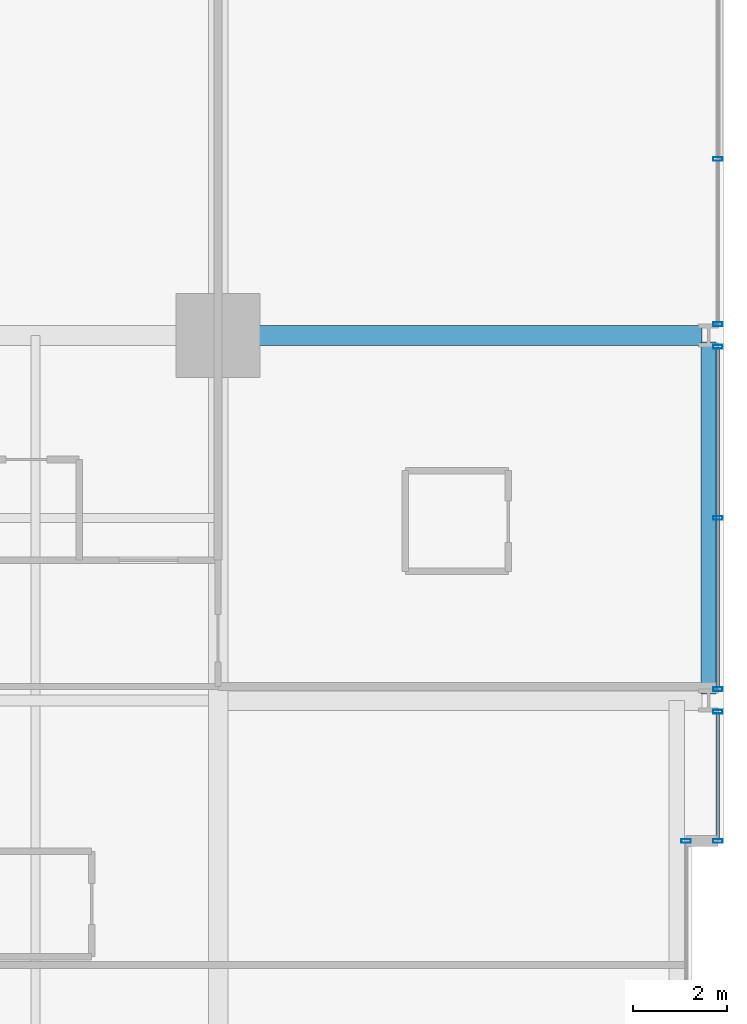
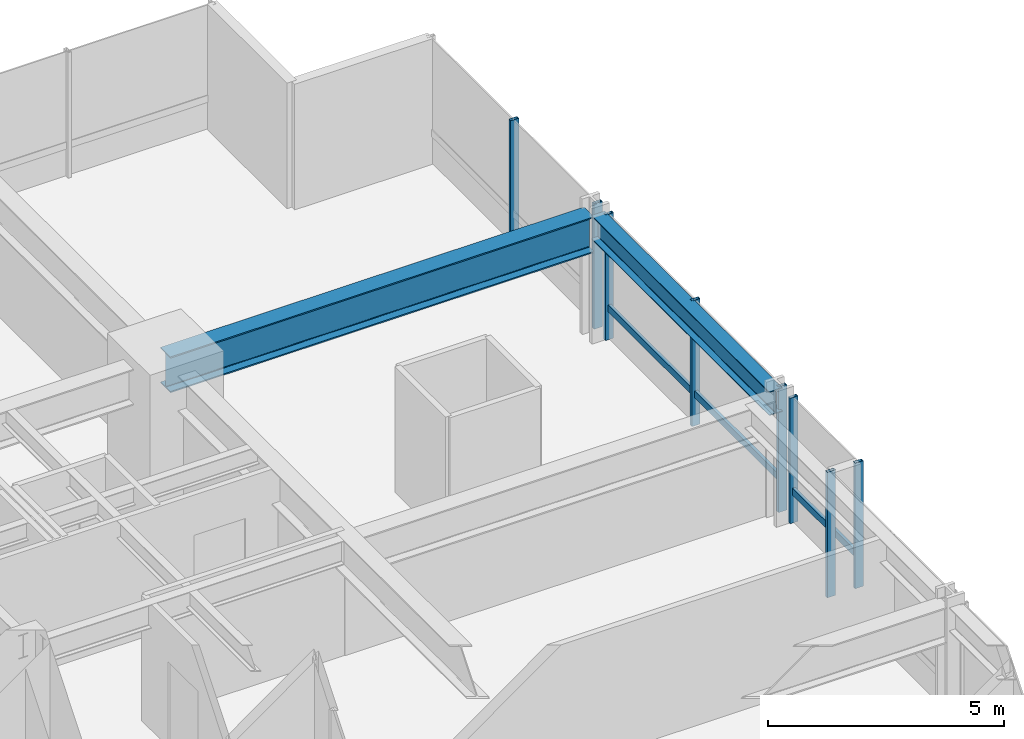
# One storey, part 25 of 39: 10 members, 2 beams, 4 elements without a shape of their own.
"""IFC4 building model written with IfcOpenShell, lengths in metres."""

import ifcopenshell
import ifcopenshell.guid

model = None  # the IFC model being written
_history = None  # IfcOwnerHistory: only IFC2X3 demands one
_inside = {}  # id of a spatial element -> (the spatial element, [elements in it])
_under = {}  # id of a project, library or spatial element -> (it, [spatial elements below it])
_declared = {}  # id of a project -> (the project, [libraries it declares])
_typed = {}  # id of a type object -> (the type object, [elements of that type])
_made_of = {}  # id of a material, layer set ... -> (it, [elements and type objects made of it])


def new_model(schema):
    """Start an empty IFC model of exactly this schema.

    Asked for "IFC4X3", IfcOpenShell would pick the latest addendum, in which some entities
    have other attributes; the version numbers below select the first issue.
    IFC2X3 requires an IfcOwnerHistory on every rooted entity: one is made here for all.
    """
    global model, _history
    if schema == "IFC4X3":
        model = ifcopenshell.file(schema_version=(4, 3, 0, 0))
    else:
        model = ifcopenshell.file(schema=schema)
    _inside.clear()
    _under.clear()
    _declared.clear()
    _typed.clear()
    _made_of.clear()
    _history = None
    if model.schema == "IFC2X3":
        org = make("IfcOrganization", Name="unknown")
        user = make(
            "IfcPersonAndOrganization",
            ThePerson=make("IfcPerson", FamilyName="unknown"),
            TheOrganization=org,
        )
        app = make(
            "IfcApplication",
            ApplicationDeveloper=org,
            Version="unknown",
            ApplicationFullName="unknown",
            ApplicationIdentifier="unknown",
        )
        _history = make(
            "IfcOwnerHistory",
            OwningUser=user,
            OwningApplication=app,
            ChangeAction="ADDED",
            CreationDate=0,
        )
    return model


def make(cls, **values):
    """One entity of the class cls with the attributes given. An attribute that is None is left unset."""
    return model.create_entity(
        cls, **{name: value for name, value in values.items() if value is not None}
    )


def rooted(cls, **values):
    """An entity with a GlobalId (a new one), such as an element, a storey or a relation."""
    return make(cls, GlobalId=ifcopenshell.guid.new(), OwnerHistory=_history, **values)


def si_unit(unit_type, name, prefix=None):
    """IfcSIUnit, for example si_unit("LENGTHUNIT", "METRE", prefix="MILLI")."""
    return make("IfcSIUnit", UnitType=unit_type, Prefix=prefix, Name=name)


def assignment(units):
    """IfcUnitAssignment: the units of a project."""
    return None if units is None else make("IfcUnitAssignment", Units=units)


def point(xyz):
    """IfcCartesianPoint."""
    return None if xyz is None else make("IfcCartesianPoint", Coordinates=xyz)


def direction(xyz):
    """IfcDirection."""
    return None if xyz is None else make("IfcDirection", DirectionRatios=xyz)


def frame(location, z_axis=None, x_axis=None):
    """IfcAxis2Placement3D, a coordinate frame: its origin and axes. An axis left out is left unset."""
    return make(
        "IfcAxis2Placement3D",
        Location=point(location),
        Axis=direction(z_axis),
        RefDirection=direction(x_axis),
    )


def frame_2d(location, x_axis=None):
    """IfcAxis2Placement2D, a coordinate frame in the plane: its origin and x axis."""
    return make(
        "IfcAxis2Placement2D", Location=point(location), RefDirection=direction(x_axis)
    )


def origin():
    """The frame at (0, 0, 0) with its axes left unset."""
    return frame((0.0, 0.0, 0.0))


def origin_2d():
    """The frame at (0, 0) in the plane with its x axis left unset."""
    return frame_2d((0.0, 0.0))


def place(relative_to, where):
    """IfcLocalPlacement: puts the frame where relative to a parent placement (None: the world)."""
    return make(
        "IfcLocalPlacement", PlacementRelTo=relative_to, RelativePlacement=where
    )


def context(
    kind, dimensions, precision=None, world=None, true_north=None, identifier=None
):
    """IfcGeometricRepresentationContext, for example the 3D "Model" context."""
    return make(
        "IfcGeometricRepresentationContext",
        ContextIdentifier=identifier,
        ContextType=kind,
        CoordinateSpaceDimension=dimensions,
        Precision=precision,
        WorldCoordinateSystem=world,
        TrueNorth=true_north,
    )


def subcontext(parent, identifier, kind, view, scale=None):
    """IfcGeometricRepresentationSubContext, for example "Body" below "Model"."""
    return make(
        "IfcGeometricRepresentationSubContext",
        ContextIdentifier=identifier,
        ContextType=kind,
        ParentContext=parent,
        TargetScale=scale,
        TargetView=view,
    )


def project(units=None, contexts=None):
    """IfcProject with its units and contexts."""
    return rooted(
        "IfcProject",
        Name="project",
        RepresentationContexts=contexts,
        UnitsInContext=assignment(units),
    )


def spatial(cls, under=None, at=None, **own):
    """A site, building, storey or space (cls), placed at a placement, below another one or the project."""
    s = rooted(cls, ObjectPlacement=at, **own)
    if under is not None:
        _under.setdefault(under.id(), (under, []))[1].append(s)
    return s


def profile(cls, at=None, kind="AREA", **sizes):
    """A parametric profile (cls). Its sizes go by their IFC names, for example OverallWidth=200.0."""
    return make(cls, ProfileType=kind, Position=at, **sizes)


def hollow_rectangle(**sizes):
    """IfcRectangleHollowProfileDef."""
    return profile("IfcRectangleHollowProfileDef", **sizes)


def i_section(**sizes):
    """IfcIShapeProfileDef."""
    return profile("IfcIShapeProfileDef", **sizes)


def extrude(swept, where, along, depth):
    """IfcExtrudedAreaSolid: the profile swept, set in the frame where, extruded along a direction by depth."""
    return make(
        "IfcExtrudedAreaSolid",
        SweptArea=swept,
        Position=where,
        ExtrudedDirection=direction(along),
        Depth=depth,
    )


def shape(context_of_items, identifier, shape_type, items):
    """IfcShapeRepresentation: the items that make up one representation, for example the "Body"."""
    return make(
        "IfcShapeRepresentation",
        ContextOfItems=context_of_items,
        RepresentationIdentifier=identifier,
        RepresentationType=shape_type,
        Items=items,
    )


def material(Name=None, Category=None):
    """IfcMaterial."""
    return make("IfcMaterial", Name=Name, Category=Category)


def layer(
    of_material, thickness, ventilated=None, Name=None, Category=None, Priority=None
):
    """IfcMaterialLayer: one layer of a wall or slab, of a material (None: an air gap)."""
    return make(
        "IfcMaterialLayer",
        Material=of_material,
        LayerThickness=thickness,
        IsVentilated=ventilated,
        Name=Name,
        Category=Category,
        Priority=Priority,
    )


def layer_set(layers, Name=None):
    """IfcMaterialLayerSet."""
    return make("IfcMaterialLayerSet", MaterialLayers=layers, LayerSetName=Name)


def material_profile(
    of_material, cross_section, Name=None, Category=None, Priority=None
):
    """IfcMaterialProfile: a cross section and its material."""
    return make(
        "IfcMaterialProfile",
        Name=Name,
        Material=of_material,
        Profile=cross_section,
        Priority=Priority,
        Category=Category,
    )


def profile_set(profiles, Name=None, composite=None):
    """IfcMaterialProfileSet."""
    return make(
        "IfcMaterialProfileSet",
        Name=Name,
        MaterialProfiles=profiles,
        CompositeProfile=composite,
    )


def made_of(thing, what):
    """Note that an element or type object is made of a material, layer set ...; save() writes the relation."""
    if what is not None:
        _made_of.setdefault(what.id(), (what, []))[1].append(thing)
    return thing


def type_object(cls, material=None, **own):
    """A type object (cls), such as IfcWallType, which elements share."""
    return made_of(rooted(cls, **own), material)


def element(
    cls,
    number,
    at=None,
    inside=None,
    cuts=None,
    type_object=None,
    material=None,
    context=None,
    identifier="Body",
    shape_type=None,
    held_by="IfcProductDefinitionShape",
    body=None,
    shapes=None,
    **own,
):
    """One element of the class cls, such as IfcWall. Its Tag is "e" and its number.

    at: its placement. inside: the storey or other place that contains it. cuts: it is an
    opening in that element (IfcRelVoidsElement). A single representation is given by context,
    identifier, shape_type and body (its items); several are given by shapes. held_by: the class
    of the entity that holds the representations. save() writes the other relations.
    """
    e = rooted(cls, Tag="e%d" % number, ObjectPlacement=at, **own)
    if body is not None:
        shapes = [shape(context, identifier, shape_type, body)]
    if shapes is not None:
        e.Representation = make(held_by, Representations=shapes)
    if inside is not None:
        _inside.setdefault(inside.id(), (inside, []))[1].append(e)
    if cuts is not None:
        rooted(
            "IfcRelVoidsElement", RelatingBuildingElement=cuts, RelatedOpeningElement=e
        )
    if type_object is not None:
        _typed.setdefault(type_object.id(), (type_object, []))[1].append(e)
    return made_of(e, material)


def aggregate(whole, parts):
    """IfcRelAggregates: a whole, such as a stair, and the parts it consists of."""
    return rooted("IfcRelAggregates", RelatingObject=whole, RelatedObjects=parts)


def save(model, path):
    """Write the relations noted so far, then the file.

    IfcRelAggregates (storeys below a building ...), IfcRelContainedInSpatialStructure (elements
    in a storey), IfcRelDefinesByType, IfcRelAssociatesMaterial and IfcRelDeclares: one each for
    every whole, place, type object, material and project.
    """
    for whole, parts in _under.values():
        aggregate(whole, parts)
    for where, things in _inside.values():
        rooted(
            "IfcRelContainedInSpatialStructure",
            RelatedElements=things,
            RelatingStructure=where,
        )
    for kind, things in _typed.values():
        rooted("IfcRelDefinesByType", RelatedObjects=things, RelatingType=kind)
    for what, things in _made_of.values():
        rooted("IfcRelAssociatesMaterial", RelatedObjects=things, RelatingMaterial=what)
    for by, libraries in _declared.values():
        rooted("IfcRelDeclares", RelatingContext=by, RelatedDefinitions=libraries)
    model.write(path)


model = new_model("IFC4")

# Units and contexts
model_context = context("Model", 3, precision=1e-05, world=origin(), true_north=direction((0.0, 1.0)))
body_context = subcontext(model_context, "Body", "Model", "MODEL_VIEW")
ifc_project = project(units=[si_unit("LENGTHUNIT", "METRE"), si_unit("AREAUNIT", "SQUARE_METRE"), si_unit("VOLUMEUNIT", "CUBIC_METRE"), si_unit("PLANEANGLEUNIT", "RADIAN"), si_unit("MASSUNIT", "GRAM", prefix="KILO")], contexts=[model_context])

# Site, building, storey
site_placement = place(None, origin())
site = spatial("IfcSite", under=ifc_project, at=site_placement, CompositionType="ELEMENT")
building_placement = place(site_placement, origin())
building = spatial("IfcBuilding", under=site, at=building_placement, Name="Drelvath Grand Hotel", CompositionType="ELEMENT")
storey_placement = place(building_placement, frame((0.0, 0.0, 54.199951171875)))
storey = spatial("IfcBuildingStorey", under=building, at=storey_placement, Name="L12", CompositionType="ELEMENT", Elevation=54.199951171875)

# Curtain wall, member
ifc_material_1 = material(Name="Warm Bronze Anodised Aluminium Frame", Category="aluminium")
ifc_layer = layer(ifc_material_1, 0.199951171875)
ifc_layer_set = layer_set([ifc_layer], Name="Warm Bronze Anodised Aluminium Frame")
curtain_wall_type = type_object("IfcCurtainWallType", Name="Stick Curtain Wall CW-02 Warm Bronze Low-Rise", PredefinedType="NOTDEFINED", material=ifc_layer_set)
curtain_wall_1_placement = place(storey_placement, origin())
curtain_wall_1 = element("IfcCurtainWall", 1, at=curtain_wall_1_placement, inside=storey, type_object=curtain_wall_type, Name="L12 CW-02 Curtain Wall CW02-L12-EN1", PredefinedType="NOTDEFINED")
ifc_material_profile_1 = material_profile(ifc_material_1, hollow_rectangle(XDim=0.074951171875, YDim=0.179931640625, WallThickness=0.0048828125, at=origin_2d()), Name="HSS180X75X5")
ifc_profile_set_1 = profile_set([ifc_material_profile_1], Name="Warm Bronze Anodised Aluminium Frame")
member_type_1 = type_object("IfcMemberType", Name="Curtain Wall Horizontal Transom CW-02 HSS180X75X5", PredefinedType="USERDEFINED", material=ifc_profile_set_1)
member_1_placement = place(storey_placement, frame((26.8798828125, 35.119140625, 0.81005859375), z_axis=(0.0, -1.0, 0.0), x_axis=(1.0, 0.0, 0.0)))
member_1 = element("IfcMember", 2, at=member_1_placement, type_object=member_type_1, Name="CW02-L12-EN1 Sill Transom", ObjectType="TRANSOM", PredefinedType="USERDEFINED", context=body_context, shape_type="SweptSolid", body=[
    extrude(hollow_rectangle(XDim=0.074951171875, YDim=0.179931640625, WallThickness=0.0048828125, at=origin_2d()), origin(), (0.0, 0.0, 1.0), 2.67919921875),
])

curtain_wall_2_placement = place(storey_placement, origin())
curtain_wall_2 = element("IfcCurtainWall", 3, at=curtain_wall_2_placement, inside=storey, type_object=curtain_wall_type, Name="L12 CW-02 Curtain Wall CW02-L12-EN2", PredefinedType="NOTDEFINED")
member_2_placement = place(storey_placement, frame((26.8798828125, 42.919189453125, 0.81005859375), z_axis=(0.0, -1.0, 0.0), x_axis=(1.0, 0.0, 0.0)))
member_2 = element("IfcMember", 4, at=member_2_placement, type_object=member_type_1, Name="CW02-L12-EN2 Sill Transom", ObjectType="TRANSOM", PredefinedType="USERDEFINED", context=body_context, shape_type="SweptSolid", body=[
    extrude(hollow_rectangle(XDim=0.074951171875, YDim=0.179931640625, WallThickness=0.0048828125, at=origin_2d()), origin(), (0.0, 0.0, 1.0), 7.23828125),
])

# Member
ifc_material_profile_2 = material_profile(ifc_material_1, hollow_rectangle(XDim=0.080078125, YDim=0.199951171875, WallThickness=0.0048828125, at=origin_2d()), Name="HSS200X80X5")
ifc_profile_set_2 = profile_set([ifc_material_profile_2], Name="Warm Bronze Anodised Aluminium Frame")
member_type_2 = type_object("IfcMemberType", Name="Curtain Wall Vertical Mullion CW-02 HSS200X80X5", PredefinedType="MULLION", material=ifc_profile_set_2)
member_3_placement = place(storey_placement, frame((26.8798828125, 35.1591796875, 0.0), z_axis=(0.0, 0.0, 1.0), x_axis=(0.0, 1.0, 0.0)))
member_3 = element("IfcMember", 5, at=member_3_placement, type_object=member_type_2, Name="CW02-L12-EN1 Mullion 1", PredefinedType="MULLION", context=body_context, shape_type="SweptSolid", body=[
    extrude(hollow_rectangle(XDim=0.080078125, YDim=0.199951171875, WallThickness=0.0048828125, at=origin_2d()), origin(), (0.0, 0.0, 1.0), 3.239990234375),
])

member_4_placement = place(storey_placement, frame((26.8798828125, 32.39990234375, 0.0), z_axis=(0.0, 0.0, 1.0), x_axis=(0.0, 1.0, 0.0)))
member_4 = element("IfcMember", 6, at=member_4_placement, type_object=member_type_2, Name="CW02-L12-EN1 Mullion 2", PredefinedType="MULLION", context=body_context, shape_type="SweptSolid", body=[
    extrude(hollow_rectangle(XDim=0.080078125, YDim=0.199951171875, WallThickness=0.0048828125, at=origin_2d()), origin(), (0.0, 0.0, 1.0), 3.239990234375),
])

aggregate(curtain_wall_1, [member_3, member_4, member_1])

member_5_placement = place(storey_placement, frame((26.8798828125, 42.958984375, 0.0), z_axis=(0.0, 0.0, 1.0), x_axis=(0.0, 1.0, 0.0)))
member_5 = element("IfcMember", 7, at=member_5_placement, type_object=member_type_2, Name="CW02-L12-EN2 Mullion 1", PredefinedType="MULLION", context=body_context, shape_type="SweptSolid", body=[
    extrude(hollow_rectangle(XDim=0.080078125, YDim=0.199951171875, WallThickness=0.0048828125, at=origin_2d()), origin(), (0.0, 0.0, 1.0), 3.239990234375),
])

member_6_placement = place(storey_placement, frame((26.8798828125, 39.300048828125, 0.0), z_axis=(0.0, 0.0, 1.0), x_axis=(0.0, 1.0, 0.0)))
member_6 = element("IfcMember", 8, at=member_6_placement, type_object=member_type_2, Name="CW02-L12-EN2 Mullion 2", PredefinedType="MULLION", context=body_context, shape_type="SweptSolid", body=[
    extrude(hollow_rectangle(XDim=0.080078125, YDim=0.199951171875, WallThickness=0.0048828125, at=origin_2d()), origin(), (0.0, 0.0, 1.0), 3.239990234375),
])

member_7_placement = place(storey_placement, frame((26.8798828125, 35.640869140625, 0.0), z_axis=(0.0, 0.0, 1.0), x_axis=(0.0, 1.0, 0.0)))
member_7 = element("IfcMember", 9, at=member_7_placement, type_object=member_type_2, Name="CW02-L12-EN2 Mullion 3", PredefinedType="MULLION", context=body_context, shape_type="SweptSolid", body=[
    extrude(hollow_rectangle(XDim=0.080078125, YDim=0.199951171875, WallThickness=0.0048828125, at=origin_2d()), origin(), (0.0, 0.0, 1.0), 3.239990234375),
])

aggregate(curtain_wall_2, [member_5, member_6, member_7, member_2])

# Curtain wall, members
curtain_wall_3_placement = place(storey_placement, origin())
curtain_wall_3 = element("IfcCurtainWall", 10, at=curtain_wall_3_placement, inside=storey, type_object=curtain_wall_type, Name="L12 CW-02 Curtain Wall CW02-L12-EN3", PredefinedType="NOTDEFINED")
member_8_placement = place(storey_placement, frame((26.8798828125, 46.970458984375, 0.0), z_axis=(0.0, 0.0, 1.0), x_axis=(0.0, 1.0, 0.0)))
member_8 = element("IfcMember", 11, at=member_8_placement, type_object=member_type_2, Name="CW02-L12-EN3 Mullion 2", PredefinedType="MULLION", context=body_context, shape_type="SweptSolid", body=[
    extrude(hollow_rectangle(XDim=0.080078125, YDim=0.199951171875, WallThickness=0.0048828125, at=origin_2d()), origin(), (0.0, 0.0, 1.0), 3.239990234375),
])
member_9_placement = place(storey_placement, frame((26.8798828125, 43.44091796875, 0.0), z_axis=(0.0, 0.0, 1.0), x_axis=(0.0, 1.0, 0.0)))
member_9 = element("IfcMember", 12, at=member_9_placement, type_object=member_type_2, Name="CW02-L12-EN3 Mullion 3", PredefinedType="MULLION", context=body_context, shape_type="SweptSolid", body=[
    extrude(hollow_rectangle(XDim=0.080078125, YDim=0.199951171875, WallThickness=0.0048828125, at=origin_2d()), origin(), (0.0, 0.0, 1.0), 3.239990234375),
])
aggregate(curtain_wall_3, [member_8, member_9])

# Curtain wall, member
curtain_wall_4_placement = place(storey_placement, origin())
curtain_wall_4 = element("IfcCurtainWall", 13, at=curtain_wall_4_placement, inside=storey, type_object=curtain_wall_type, Name="L12 CW-02 Curtain Wall CW02-L12-EM2", PredefinedType="NOTDEFINED")
member_10_placement = place(storey_placement, frame((26.199951171875, 32.39990234375, 0.0), z_axis=(0.0, 0.0, 1.0), x_axis=(0.0, 1.0, 0.0)))
member_10 = element("IfcMember", 14, at=member_10_placement, type_object=member_type_2, Name="CW02-L12-EM2 Mullion 1", PredefinedType="MULLION", context=body_context, shape_type="SweptSolid", body=[
    extrude(hollow_rectangle(XDim=0.080078125, YDim=0.199951171875, WallThickness=0.0048828125, at=origin_2d()), origin(), (0.0, 0.0, 1.0), 3.239990234375),
])
aggregate(curtain_wall_4, [member_10])

# Beams
ifc_material_2 = material(Name="Steel ASTM A992 Gr 50", Category="steel")
ifc_material_profile_3 = material_profile(ifc_material_2, i_section(OverallWidth=0.323974609375, OverallDepth=0.611083984375, WebThickness=0.0126953125, FlangeThickness=0.01904296875, FilletRadius=0.02197265625, at=origin_2d()), Name="W24X104")
ifc_profile_set_3 = profile_set([ifc_material_profile_3], Name="Steel ASTM A992 Gr 50")
beam_type_1 = type_object("IfcBeamType", Name="Perimeter Spandrel Beam W24X104", PredefinedType="SPANDREL", material=ifc_profile_set_3)
beam_1_placement = place(storey_placement, frame((26.679931640625, 35.5400390625, 2.9345703125), z_axis=(0.0, 1.0, 0.0), x_axis=(-1.0, 0.0, 0.0)))
element("IfcBeam", 15, at=beam_1_placement, inside=storey, type_object=beam_type_1, Name="L12 Spandrel East N", PredefinedType="SPANDREL", context=body_context, shape_type="SweptSolid", body=[
    extrude(i_section(OverallWidth=0.323974609375, OverallDepth=0.611083984375, WebThickness=0.0126953125, FlangeThickness=0.01904296875, FilletRadius=0.02197265625, at=origin_2d()), origin(), (0.0, 0.0, 1.0), 7.52001953125),
])
ifc_material_profile_4 = material_profile(ifc_material_2, i_section(OverallWidth=0.418212890625, OverallDepth=0.926513671875, WebThickness=0.019287109375, FlangeThickness=0.031982421875, FilletRadius=0.028076171875, at=origin_2d()), Name="W36X231")
ifc_profile_set_4 = profile_set([ifc_material_profile_4], Name="Steel ASTM A992 Gr 50")
beam_type_2 = type_object("IfcBeamType", Name="Primary Floor Girder W36X231", PredefinedType="BEAM", material=ifc_profile_set_4)
beam_2_placement = place(storey_placement, frame((16.199951171875, 43.199951171875, 2.77685546875), z_axis=(1.0, 0.0, 0.0), x_axis=(0.0, 1.0, 0.0)))
element("IfcBeam", 16, at=beam_2_placement, inside=storey, type_object=beam_type_2, Name="L12 East Grid Girder G", PredefinedType="BEAM", context=body_context, shape_type="SweptSolid", body=[
    extrude(i_section(OverallWidth=0.418212890625, OverallDepth=0.926513671875, WebThickness=0.019287109375, FlangeThickness=0.031982421875, FilletRadius=0.028076171875, at=origin_2d()), origin(), (0.0, 0.0, 1.0), 10.340087890625),
])

save(model, "model.ifc")
